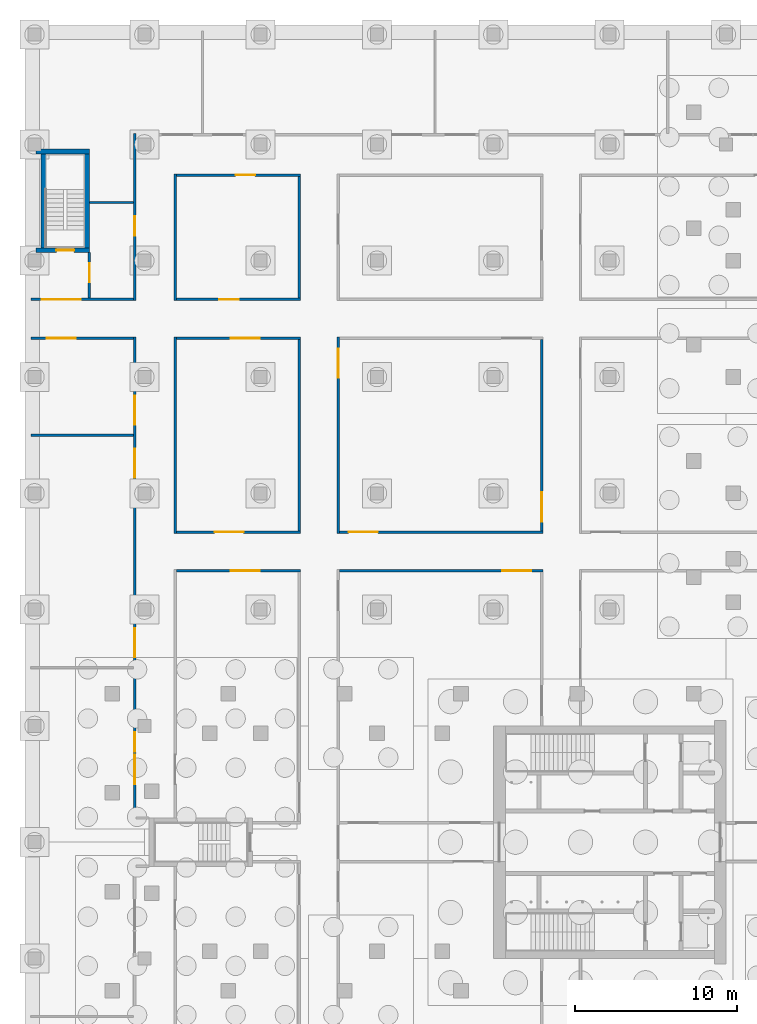
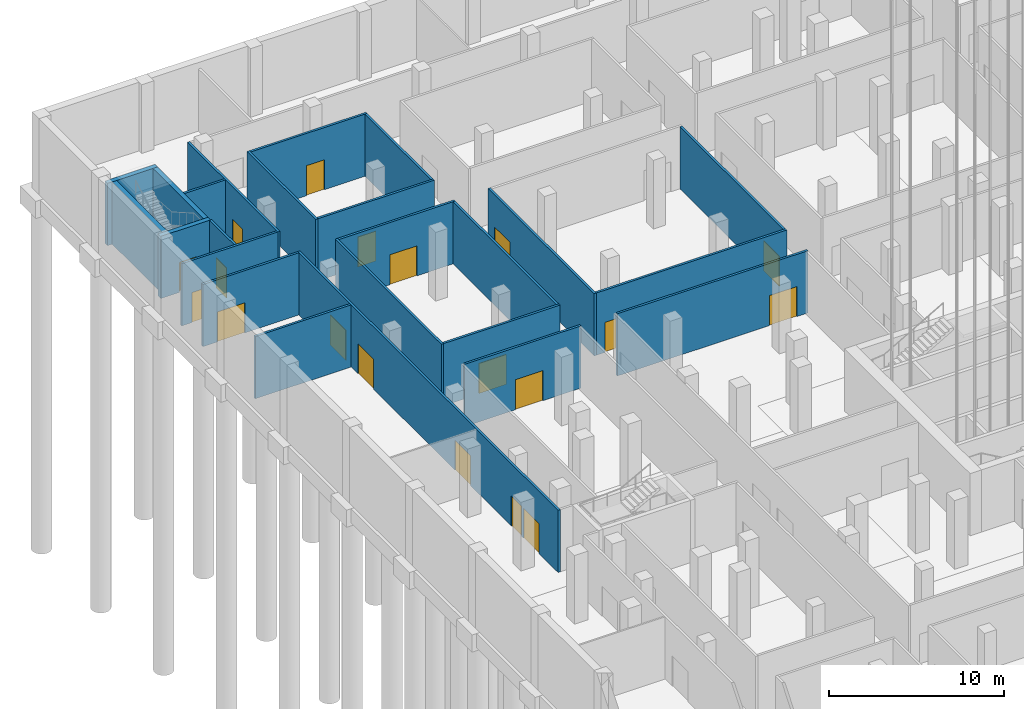
# One storey, part 16 of 54: 24 walls, 19 doors, 19 openings.
"""IFC4 building model written with IfcOpenShell, lengths in metres."""

from ifc_helpers import new_model, si_unit, direction, frame, frame_2d, origin, place, context, subcontext, project, spatial, rectangle, extrude, material, layer, layer_set, type_object, element, fill, save


model = new_model("IFC4")

# Units and contexts
model_context = context("Model", 3, precision=1e-05, world=origin(), true_north=direction((0.0, 1.0)))
body_context = subcontext(model_context, "Body", "Model", "MODEL_VIEW")
ifc_project = project(units=[si_unit("LENGTHUNIT", "METRE"), si_unit("AREAUNIT", "SQUARE_METRE"), si_unit("VOLUMEUNIT", "CUBIC_METRE"), si_unit("PLANEANGLEUNIT", "RADIAN"), si_unit("MASSUNIT", "GRAM", prefix="KILO")], contexts=[model_context])

# Site, building, storey
site_placement = place(None, origin())
site = spatial("IfcSite", under=ifc_project, at=site_placement, CompositionType="ELEMENT")
building_placement = place(site_placement, origin())
building = spatial("IfcBuilding", under=site, at=building_placement, Name="Fustian Cross Tower", CompositionType="ELEMENT")
storey_placement = place(building_placement, frame((0.0, 0.0, -4.800048828125)))
storey = spatial("IfcBuildingStorey", under=building, at=storey_placement, Name="B1", CompositionType="ELEMENT", Elevation=-4.800048828125)

# Wall
ifc_material_1 = material(Name="Plasterboard on steel stud", Category="steel")
ifc_layer_1 = layer(ifc_material_1, 0.14990234375)
ifc_layer_set_1 = layer_set([ifc_layer_1], Name="Plasterboard on steel stud")
wall_type_1 = type_object("IfcWallType", Name="COMPARTMENT WALL 150 EI 60", PredefinedType="PARTITIONING", material=ifc_layer_set_1)
wall_1_placement = place(storey_placement, frame((-50.219970703125, 25.199951171875, 0.0), z_axis=(0.0, 0.0, 1.0), x_axis=(1.0, 0.0, 0.0)))
element("IfcWall", 1, at=wall_1_placement, inside=storey, type_object=wall_type_1, Name="Partition 6", PredefinedType="PARTITIONING", context=body_context, shape_type="SweptSolid", body=[
    extrude(rectangle(XDim=6.344970703125, YDim=0.14990234375, at=frame_2d((3.17236328125, 0.0))), origin(), (0.0, 0.0, 1.0), 4.35009765625),
])

# Wall, opening, door
wall_2_placement = place(storey_placement, frame((-50.219970703125, 31.199951171875, 0.0), z_axis=(0.0, 0.0, 1.0), x_axis=(1.0, 0.0, 0.0)))
wall_2 = element("IfcWall", 2, at=wall_2_placement, inside=storey, type_object=wall_type_1, Name="Partition 7", PredefinedType="PARTITIONING", context=body_context, shape_type="SweptSolid", body=[
    extrude(rectangle(XDim=6.344970703125, YDim=0.14990234375, at=frame_2d((3.17236328125, 0.0))), origin(), (0.0, 0.0, 1.0), 4.35009765625),
])
opening_1_placement = place(wall_2_placement, frame((0.969970703125, 0.0, 0.0)))
opening_1 = element("IfcOpeningElement", 3, at=opening_1_placement, cuts=wall_2, Name="Opening D01143", PredefinedType="OPENING", context=body_context, shape_type="SweptSolid", body=[
    extrude(rectangle(XDim=1.800048828125, YDim=2.10009765625, at=frame_2d((0.89990234375, 1.050048828125))), frame((0.0, 0.0849609375, 0.0), z_axis=(0.0, -1.0, 0.0), x_axis=(1.0, 0.0, 0.0)), (0.0, 0.0, 1.0), 0.169921875),
])
ifc_material_2 = material(Name="Timber fire door set", Category="wood")
door_type_1 = type_object("IfcDoorType", Name="FIRE DOUBLE DOOR 1800 FD30S", OperationType="DOUBLE_DOOR_DOUBLE_SWING", PredefinedType="DOOR", material=ifc_material_2)
door_1_placement = place(opening_1_placement, origin())
door_1 = element("IfcDoor", 4, at=door_1_placement, inside=storey, type_object=door_type_1, Name="Door D01143", OperationType="DOUBLE_DOOR_DOUBLE_SWING", OverallHeight=2.10009765625, OverallWidth=1.800048828125, PredefinedType="DOOR", context=body_context, shape_type="SweptSolid", body=[
    extrude(rectangle(XDim=1.800048828125, YDim=2.10009765625, at=frame_2d((0.89990234375, 1.050048828125))), frame((0.0, 0.02490234375, 0.0), z_axis=(0.0, -1.0, 0.0), x_axis=(1.0, 0.0, 0.0)), (0.0, 0.0, 1.0), 0.050048828125),
])
fill(opening_1, door_1)

wall_3_placement = place(storey_placement, frame((-50.219970703125, 33.60009765625, 0.0), z_axis=(0.0, 0.0, 1.0), x_axis=(1.0, 0.0, 0.0)))
wall_3 = element("IfcWall", 5, at=wall_3_placement, inside=storey, type_object=wall_type_1, Name="Partition 8", PredefinedType="PARTITIONING", context=body_context, shape_type="SweptSolid", body=[
    extrude(rectangle(XDim=6.344970703125, YDim=0.14990234375, at=frame_2d((3.17236328125, 0.0))), origin(), (0.0, 0.0, 1.0), 4.35009765625),
])
opening_2_placement = place(wall_3_placement, frame((0.669921875, 0.0, 0.0)))
opening_2 = element("IfcOpeningElement", 6, at=opening_2_placement, cuts=wall_3, Name="Opening D01042", PredefinedType="OPENING", context=body_context, shape_type="SweptSolid", body=[
    extrude(rectangle(XDim=2.39990234375, YDim=2.10009765625, at=frame_2d((1.199951171875, 1.050048828125))), frame((0.0, 0.0849609375, 0.0), z_axis=(0.0, -1.0, 0.0), x_axis=(1.0, 0.0, 0.0)), (0.0, 0.0, 1.0), 0.169921875),
])
ifc_material_3 = material(Name="Timber fire door set", Category="wood")
door_type_2 = type_object("IfcDoorType", Name="FIRE DOUBLE DOOR 2400 FD30S", OperationType="DOUBLE_DOOR_DOUBLE_SWING", PredefinedType="DOOR", material=ifc_material_3)
door_2_placement = place(opening_2_placement, origin())
door_2 = element("IfcDoor", 7, at=door_2_placement, inside=storey, type_object=door_type_2, Name="Door D01042", OperationType="DOUBLE_DOOR_DOUBLE_SWING", OverallHeight=2.10009765625, OverallWidth=2.39990234375, PredefinedType="DOOR", context=body_context, shape_type="SweptSolid", body=[
    extrude(rectangle(XDim=2.39990234375, YDim=2.10009765625, at=frame_2d((1.199951171875, 1.050048828125))), frame((0.0, 0.02490234375, 0.0), z_axis=(0.0, -1.0, 0.0), x_axis=(1.0, 0.0, 0.0)), (0.0, 0.0, 1.0), 0.050048828125),
])
fill(opening_2, door_2)

wall_4_placement = place(storey_placement, frame((-46.60009765625, 33.675048828125, 0.0), z_axis=(0.0, 0.0, 1.0), x_axis=(0.0, 1.0, 0.0)))
wall_4 = element("IfcWall", 8, at=wall_4_placement, inside=storey, type_object=wall_type_1, Name="Partition 11", PredefinedType="PARTITIONING", context=body_context, shape_type="SweptSolid", body=[
    extrude(rectangle(XDim=2.824951171875, YDim=0.14990234375, at=frame_2d((1.41259765625, 0.0))), origin(), (0.0, 0.0, 1.0), 4.35009765625),
])
opening_3_placement = place(wall_4_placement, frame((0.97509765625, 0.0, 0.0)))
opening_3 = element("IfcOpeningElement", 9, at=opening_3_placement, cuts=wall_4, Name="Opening D01126", PredefinedType="OPENING", context=body_context, shape_type="SweptSolid", body=[
    extrude(rectangle(XDim=1.199951171875, YDim=2.10009765625, at=frame_2d((0.60009765625, 1.050048828125))), frame((0.0, 0.0849609375, 0.0), z_axis=(0.0, -1.0, 0.0), x_axis=(1.0, 0.0, 0.0)), (0.0, 0.0, 1.0), 0.169921875),
])
ifc_material_4 = material(Name="Timber fire door set", Category="wood")
door_type_3 = type_object("IfcDoorType", Name="FIRE SWING DOOR 1200 FD30S", OperationType="SINGLE_SWING_LEFT", PredefinedType="DOOR", material=ifc_material_4)
door_3_placement = place(opening_3_placement, frame((1.199951171875, 0.0, 0.0), z_axis=(0.0, 0.0, 1.0), x_axis=(-1.0, 0.0, 0.0)))
door_3 = element("IfcDoor", 10, at=door_3_placement, inside=storey, type_object=door_type_3, Name="Door D01126", OperationType="SINGLE_SWING_RIGHT", OverallHeight=2.10009765625, OverallWidth=1.199951171875, PredefinedType="DOOR", context=body_context, shape_type="SweptSolid", body=[
    extrude(rectangle(XDim=1.199951171875, YDim=2.10009765625, at=frame_2d((0.60009765625, 1.050048828125))), frame((0.0, 0.02490234375, 0.0), z_axis=(0.0, -1.0, 0.0), x_axis=(1.0, 0.0, 0.0)), (0.0, 0.0, 1.0), 0.050048828125),
])
fill(opening_3, door_3)

# Wall
wall_5_placement = place(storey_placement, frame((-46.60009765625, 39.60009765625, 0.0), z_axis=(0.0, 0.0, 1.0), x_axis=(1.0, 0.0, 0.0)))
element("IfcWall", 11, at=wall_5_placement, inside=storey, type_object=wall_type_1, Name="Partition 12", PredefinedType="PARTITIONING", context=body_context, shape_type="SweptSolid", body=[
    extrude(rectangle(XDim=2.72509765625, YDim=0.14990234375, at=frame_2d((1.362548828125, 0.0))), origin(), (0.0, 0.0, 1.0), 4.35009765625),
])

# Wall, openings, doors
wall_6_placement = place(storey_placement, frame((-43.800048828125, 1.425048828125, 0.0), z_axis=(0.0, 0.0, 1.0), x_axis=(0.0, 1.0, 0.0)))
wall_6 = element("IfcWall", 12, at=wall_6_placement, inside=storey, type_object=wall_type_1, Name="Partition 17", PredefinedType="PARTITIONING", context=body_context, shape_type="SweptSolid", body=[
    extrude(rectangle(XDim=29.849853515625, YDim=0.14990234375, at=frame_2d((14.9248046875, 0.0))), origin(), (0.0, 0.0, 1.0), 4.35009765625),
])
opening_4_placement = place(wall_6_placement, frame((24.425048828125, 0.0, 0.0)))
opening_4 = element("IfcOpeningElement", 13, at=opening_4_placement, cuts=wall_6, Name="Opening D01144", PredefinedType="OPENING", context=body_context, shape_type="SweptSolid", body=[
    extrude(rectangle(XDim=1.800048828125, YDim=2.10009765625, at=frame_2d((0.89990234375, 1.050048828125))), frame((0.0, 0.0849609375, 0.0), z_axis=(0.0, -1.0, 0.0), x_axis=(1.0, 0.0, 0.0)), (0.0, 0.0, 1.0), 0.169921875),
])
opening_5_placement = place(wall_6_placement, frame((10.02490234375, 0.0, 0.0)))
opening_5 = element("IfcOpeningElement", 14, at=opening_5_placement, cuts=wall_6, Name="Opening D01151", PredefinedType="OPENING", context=body_context, shape_type="SweptSolid", body=[
    extrude(rectangle(XDim=1.800048828125, YDim=2.10009765625, at=frame_2d((0.89990234375, 1.050048828125))), frame((0.0, 0.0849609375, 0.0), z_axis=(0.0, -1.0, 0.0), x_axis=(1.0, 0.0, 0.0)), (0.0, 0.0, 1.0), 0.169921875),
])
opening_6_placement = place(wall_6_placement, frame((21.125, 0.0, 0.0)))
opening_6 = element("IfcOpeningElement", 15, at=opening_6_placement, cuts=wall_6, Name="Opening D01152", PredefinedType="OPENING", context=body_context, shape_type="SweptSolid", body=[
    extrude(rectangle(XDim=1.800048828125, YDim=2.10009765625, at=frame_2d((0.89990234375, 1.050048828125))), frame((0.0, 0.0849609375, 0.0), z_axis=(0.0, -1.0, 0.0), x_axis=(1.0, 0.0, 0.0)), (0.0, 0.0, 1.0), 0.169921875),
])
opening_7_placement = place(wall_6_placement, frame((2.175048828125, 0.0, 0.0)))
opening_7 = element("IfcOpeningElement", 16, at=opening_7_placement, cuts=wall_6, Name="Opening D01163", PredefinedType="OPENING", context=body_context, shape_type="SweptSolid", body=[
    extrude(rectangle(XDim=1.800048828125, YDim=2.10009765625, at=frame_2d((0.89990234375, 1.050048828125))), frame((0.0, 0.0849609375, 0.0), z_axis=(0.0, -1.0, 0.0), x_axis=(1.0, 0.0, 0.0)), (0.0, 0.0, 1.0), 0.169921875),
])
opening_8_placement = place(wall_6_placement, frame((4.175048828125, 0.0, 0.0)))
opening_8 = element("IfcOpeningElement", 17, at=opening_8_placement, cuts=wall_6, Name="Opening D01164", PredefinedType="OPENING", context=body_context, shape_type="SweptSolid", body=[
    extrude(rectangle(XDim=1.199951171875, YDim=2.10009765625, at=frame_2d((0.60009765625, 1.050048828125))), frame((0.0, 0.0849609375, 0.0), z_axis=(0.0, -1.0, 0.0), x_axis=(1.0, 0.0, 0.0)), (0.0, 0.0, 1.0), 0.169921875),
])
door_4_placement = place(opening_4_placement, frame((1.800048828125, 0.0, 0.0), z_axis=(0.0, 0.0, 1.0), x_axis=(-1.0, 0.0, 0.0)))
door_4 = element("IfcDoor", 18, at=door_4_placement, inside=storey, type_object=door_type_1, Name="Door D01144", OperationType="DOUBLE_DOOR_DOUBLE_SWING", OverallHeight=2.10009765625, OverallWidth=1.800048828125, PredefinedType="DOOR", context=body_context, shape_type="SweptSolid", body=[
    extrude(rectangle(XDim=1.800048828125, YDim=2.10009765625, at=frame_2d((0.89990234375, 1.050048828125))), frame((0.0, 0.02490234375, 0.0), z_axis=(0.0, -1.0, 0.0), x_axis=(1.0, 0.0, 0.0)), (0.0, 0.0, 1.0), 0.050048828125),
])
fill(opening_4, door_4)
door_5_placement = place(opening_5_placement, frame((1.800048828125, 0.0, 0.0), z_axis=(0.0, 0.0, 1.0), x_axis=(-1.0, 0.0, 0.0)))
door_5 = element("IfcDoor", 19, at=door_5_placement, inside=storey, type_object=door_type_1, Name="Door D01151", OperationType="DOUBLE_DOOR_DOUBLE_SWING", OverallHeight=2.10009765625, OverallWidth=1.800048828125, PredefinedType="DOOR", context=body_context, shape_type="SweptSolid", body=[
    extrude(rectangle(XDim=1.800048828125, YDim=2.10009765625, at=frame_2d((0.89990234375, 1.050048828125))), frame((0.0, 0.02490234375, 0.0), z_axis=(0.0, -1.0, 0.0), x_axis=(1.0, 0.0, 0.0)), (0.0, 0.0, 1.0), 0.050048828125),
])
fill(opening_5, door_5)
door_6_placement = place(opening_6_placement, frame((1.800048828125, 0.0, 0.0), z_axis=(0.0, 0.0, 1.0), x_axis=(-1.0, 0.0, 0.0)))
door_6 = element("IfcDoor", 20, at=door_6_placement, inside=storey, type_object=door_type_1, Name="Door D01152", OperationType="DOUBLE_DOOR_DOUBLE_SWING", OverallHeight=2.10009765625, OverallWidth=1.800048828125, PredefinedType="DOOR", context=body_context, shape_type="SweptSolid", body=[
    extrude(rectangle(XDim=1.800048828125, YDim=2.10009765625, at=frame_2d((0.89990234375, 1.050048828125))), frame((0.0, 0.02490234375, 0.0), z_axis=(0.0, -1.0, 0.0), x_axis=(1.0, 0.0, 0.0)), (0.0, 0.0, 1.0), 0.050048828125),
])
fill(opening_6, door_6)
door_7_placement = place(opening_7_placement, frame((1.800048828125, 0.0, 0.0), z_axis=(0.0, 0.0, 1.0), x_axis=(-1.0, 0.0, 0.0)))
door_7 = element("IfcDoor", 21, at=door_7_placement, inside=storey, type_object=door_type_1, Name="Door D01163", OperationType="DOUBLE_DOOR_DOUBLE_SWING", OverallHeight=2.10009765625, OverallWidth=1.800048828125, PredefinedType="DOOR", context=body_context, shape_type="SweptSolid", body=[
    extrude(rectangle(XDim=1.800048828125, YDim=2.10009765625, at=frame_2d((0.89990234375, 1.050048828125))), frame((0.0, 0.02490234375, 0.0), z_axis=(0.0, -1.0, 0.0), x_axis=(1.0, 0.0, 0.0)), (0.0, 0.0, 1.0), 0.050048828125),
])
fill(opening_7, door_7)
door_8_placement = place(opening_8_placement, origin())
door_8 = element("IfcDoor", 22, at=door_8_placement, inside=storey, type_object=door_type_3, Name="Door D01164", OperationType="SINGLE_SWING_RIGHT", OverallHeight=2.10009765625, OverallWidth=1.199951171875, PredefinedType="DOOR", context=body_context, shape_type="SweptSolid", body=[
    extrude(rectangle(XDim=1.199951171875, YDim=2.10009765625, at=frame_2d((0.60009765625, 1.050048828125))), frame((0.0, 0.02490234375, 0.0), z_axis=(0.0, -1.0, 0.0), x_axis=(1.0, 0.0, 0.0)), (0.0, 0.0, 1.0), 0.050048828125),
])
fill(opening_8, door_8)

# Wall, opening, door
wall_7_placement = place(storey_placement, frame((-43.800048828125, 33.52490234375, 0.0), z_axis=(0.0, 0.0, 1.0), x_axis=(0.0, 1.0, 0.0)))
wall_7 = element("IfcWall", 23, at=wall_7_placement, inside=storey, type_object=wall_type_1, Name="Partition 19", PredefinedType="PARTITIONING", context=body_context, shape_type="SweptSolid", body=[
    extrude(rectangle(XDim=10.35009765625, YDim=0.14990234375, at=frame_2d((5.175048828125, 0.0))), origin(), (0.0, 0.0, 1.0), 4.35009765625),
])
opening_9_placement = place(wall_7_placement, frame((4.02490234375, 0.0, 0.0)))
opening_9 = element("IfcOpeningElement", 24, at=opening_9_placement, cuts=wall_7, Name="Opening D01127", PredefinedType="OPENING", context=body_context, shape_type="SweptSolid", body=[
    extrude(rectangle(XDim=1.199951171875, YDim=2.10009765625, at=frame_2d((0.60009765625, 1.050048828125))), frame((0.0, 0.0849609375, 0.0), z_axis=(0.0, -1.0, 0.0), x_axis=(1.0, 0.0, 0.0)), (0.0, 0.0, 1.0), 0.169921875),
])
door_9_placement = place(opening_9_placement, origin())
door_9 = element("IfcDoor", 25, at=door_9_placement, inside=storey, type_object=door_type_3, Name="Door D01127", OperationType="SINGLE_SWING_RIGHT", OverallHeight=2.10009765625, OverallWidth=1.199951171875, PredefinedType="DOOR", context=body_context, shape_type="SweptSolid", body=[
    extrude(rectangle(XDim=1.199951171875, YDim=2.10009765625, at=frame_2d((0.60009765625, 1.050048828125))), frame((0.0, 0.02490234375, 0.0), z_axis=(0.0, -1.0, 0.0), x_axis=(1.0, 0.0, 0.0)), (0.0, 0.0, 1.0), 0.050048828125),
])
fill(opening_9, door_9)

wall_8_placement = place(storey_placement, frame((-41.22509765625, 16.800048828125, 0.0), z_axis=(0.0, 0.0, 1.0), x_axis=(1.0, 0.0, 0.0)))
wall_8 = element("IfcWall", 26, at=wall_8_placement, inside=storey, type_object=wall_type_1, Name="Partition 30", PredefinedType="PARTITIONING", context=body_context, shape_type="SweptSolid", body=[
    extrude(rectangle(XDim=7.7001953125, YDim=0.14990234375, at=frame_2d((3.85009765625, 0.0))), origin(), (0.0, 0.0, 1.0), 4.35009765625),
])
opening_10_placement = place(wall_8_placement, frame((3.375, 0.0, 0.0)))
opening_10 = element("IfcOpeningElement", 27, at=opening_10_placement, cuts=wall_8, Name="Opening D01156", PredefinedType="OPENING", context=body_context, shape_type="SweptSolid", body=[
    extrude(rectangle(XDim=1.800048828125, YDim=2.10009765625, at=frame_2d((0.89990234375, 1.050048828125))), frame((0.0, 0.0849609375, 0.0), z_axis=(0.0, -1.0, 0.0), x_axis=(1.0, 0.0, 0.0)), (0.0, 0.0, 1.0), 0.169921875),
])
door_10_placement = place(opening_10_placement, origin())
door_10 = element("IfcDoor", 28, at=door_10_placement, inside=storey, type_object=door_type_1, Name="Door D01156", OperationType="DOUBLE_DOOR_DOUBLE_SWING", OverallHeight=2.10009765625, OverallWidth=1.800048828125, PredefinedType="DOOR", context=body_context, shape_type="SweptSolid", body=[
    extrude(rectangle(XDim=1.800048828125, YDim=2.10009765625, at=frame_2d((0.89990234375, 1.050048828125))), frame((0.0, 0.02490234375, 0.0), z_axis=(0.0, -1.0, 0.0), x_axis=(1.0, 0.0, 0.0)), (0.0, 0.0, 1.0), 0.050048828125),
])
fill(opening_10, door_10)

# Wall
wall_9_placement = place(storey_placement, frame((-41.300048828125, 19.125, 0.0), z_axis=(0.0, 0.0, 1.0), x_axis=(0.0, 1.0, 0.0)))
element("IfcWall", 29, at=wall_9_placement, inside=storey, type_object=wall_type_1, Name="Partition 31", PredefinedType="PARTITIONING", context=body_context, shape_type="SweptSolid", body=[
    extrude(rectangle(XDim=12.14990234375, YDim=0.14990234375, at=frame_2d((6.074951171875, 0.0))), origin(), (0.0, 0.0, 1.0), 4.35009765625),
])

# Wall, opening, door
wall_10_placement = place(storey_placement, frame((-41.22509765625, 19.199951171875, 0.0), z_axis=(0.0, 0.0, 1.0), x_axis=(1.0, 0.0, 0.0)))
wall_10 = element("IfcWall", 30, at=wall_10_placement, inside=storey, type_object=wall_type_1, Name="Partition 32", PredefinedType="PARTITIONING", context=body_context, shape_type="SweptSolid", body=[
    extrude(rectangle(XDim=7.7001953125, YDim=0.14990234375, at=frame_2d((3.85009765625, 0.0))), origin(), (0.0, 0.0, 1.0), 4.35009765625),
])
opening_11_placement = place(wall_10_placement, frame((2.375, 0.0, 0.0)))
opening_11 = element("IfcOpeningElement", 31, at=opening_11_placement, cuts=wall_10, Name="Opening D01147", PredefinedType="OPENING", context=body_context, shape_type="SweptSolid", body=[
    extrude(rectangle(XDim=1.800048828125, YDim=2.10009765625, at=frame_2d((0.89990234375, 1.050048828125))), frame((0.0, 0.0849609375, 0.0), z_axis=(0.0, -1.0, 0.0), x_axis=(1.0, 0.0, 0.0)), (0.0, 0.0, 1.0), 0.169921875),
])
door_11_placement = place(opening_11_placement, frame((1.800048828125, 0.0, 0.0), z_axis=(0.0, 0.0, 1.0), x_axis=(-1.0, 0.0, 0.0)))
door_11 = element("IfcDoor", 32, at=door_11_placement, inside=storey, type_object=door_type_1, Name="Door D01147", OperationType="DOUBLE_DOOR_DOUBLE_SWING", OverallHeight=2.10009765625, OverallWidth=1.800048828125, PredefinedType="DOOR", context=body_context, shape_type="SweptSolid", body=[
    extrude(rectangle(XDim=1.800048828125, YDim=2.10009765625, at=frame_2d((0.89990234375, 1.050048828125))), frame((0.0, 0.02490234375, 0.0), z_axis=(0.0, -1.0, 0.0), x_axis=(1.0, 0.0, 0.0)), (0.0, 0.0, 1.0), 0.050048828125),
])
fill(opening_11, door_11)

wall_11_placement = place(storey_placement, frame((-41.22509765625, 31.199951171875, 0.0), z_axis=(0.0, 0.0, 1.0), x_axis=(1.0, 0.0, 0.0)))
wall_11 = element("IfcWall", 33, at=wall_11_placement, inside=storey, type_object=wall_type_1, Name="Partition 33", PredefinedType="PARTITIONING", context=body_context, shape_type="SweptSolid", body=[
    extrude(rectangle(XDim=7.7001953125, YDim=0.14990234375, at=frame_2d((3.85009765625, 0.0))), origin(), (0.0, 0.0, 1.0), 4.35009765625),
])
opening_12_placement = place(wall_11_placement, frame((3.375, 0.0, 0.0)))
opening_12 = element("IfcOpeningElement", 34, at=opening_12_placement, cuts=wall_11, Name="Opening D01148", PredefinedType="OPENING", context=body_context, shape_type="SweptSolid", body=[
    extrude(rectangle(XDim=1.800048828125, YDim=2.10009765625, at=frame_2d((0.89990234375, 1.050048828125))), frame((0.0, 0.0849609375, 0.0), z_axis=(0.0, -1.0, 0.0), x_axis=(1.0, 0.0, 0.0)), (0.0, 0.0, 1.0), 0.169921875),
])
door_12_placement = place(opening_12_placement, origin())
door_12 = element("IfcDoor", 35, at=door_12_placement, inside=storey, type_object=door_type_1, Name="Door D01148", OperationType="DOUBLE_DOOR_DOUBLE_SWING", OverallHeight=2.10009765625, OverallWidth=1.800048828125, PredefinedType="DOOR", context=body_context, shape_type="SweptSolid", body=[
    extrude(rectangle(XDim=1.800048828125, YDim=2.10009765625, at=frame_2d((0.89990234375, 1.050048828125))), frame((0.0, 0.02490234375, 0.0), z_axis=(0.0, -1.0, 0.0), x_axis=(1.0, 0.0, 0.0)), (0.0, 0.0, 1.0), 0.050048828125),
])
fill(opening_12, door_12)

# Wall
wall_12_placement = place(storey_placement, frame((-41.300048828125, 33.52490234375, 0.0), z_axis=(0.0, 0.0, 1.0), x_axis=(0.0, 1.0, 0.0)))
element("IfcWall", 36, at=wall_12_placement, inside=storey, type_object=wall_type_1, Name="Partition 34", PredefinedType="PARTITIONING", context=body_context, shape_type="SweptSolid", body=[
    extrude(rectangle(XDim=7.85009765625, YDim=0.14990234375, at=frame_2d((3.925048828125, 0.0))), origin(), (0.0, 0.0, 1.0), 4.35009765625),
])

# Wall, opening, door
wall_13_placement = place(storey_placement, frame((-41.22509765625, 33.60009765625, 0.0), z_axis=(0.0, 0.0, 1.0), x_axis=(1.0, 0.0, 0.0)))
wall_13 = element("IfcWall", 37, at=wall_13_placement, inside=storey, type_object=wall_type_1, Name="Partition 35", PredefinedType="PARTITIONING", context=body_context, shape_type="SweptSolid", body=[
    extrude(rectangle(XDim=7.7001953125, YDim=0.14990234375, at=frame_2d((3.85009765625, 0.0))), origin(), (0.0, 0.0, 1.0), 4.35009765625),
])
opening_13_placement = place(wall_13_placement, frame((2.675048828125, 0.0, 0.0)))
opening_13 = element("IfcOpeningElement", 38, at=opening_13_placement, cuts=wall_13, Name="Opening D01128", PredefinedType="OPENING", context=body_context, shape_type="SweptSolid", body=[
    extrude(rectangle(XDim=1.199951171875, YDim=2.10009765625, at=frame_2d((0.60009765625, 1.050048828125))), frame((0.0, 0.0849609375, 0.0), z_axis=(0.0, -1.0, 0.0), x_axis=(1.0, 0.0, 0.0)), (0.0, 0.0, 1.0), 0.169921875),
])
door_13_placement = place(opening_13_placement, origin())
door_13 = element("IfcDoor", 39, at=door_13_placement, inside=storey, type_object=door_type_3, Name="Door D01128", OperationType="SINGLE_SWING_LEFT", OverallHeight=2.10009765625, OverallWidth=1.199951171875, PredefinedType="DOOR", context=body_context, shape_type="SweptSolid", body=[
    extrude(rectangle(XDim=1.199951171875, YDim=2.10009765625, at=frame_2d((0.60009765625, 1.050048828125))), frame((0.0, 0.02490234375, 0.0), z_axis=(0.0, -1.0, 0.0), x_axis=(1.0, 0.0, 0.0)), (0.0, 0.0, 1.0), 0.050048828125),
])
fill(opening_13, door_13)

wall_14_placement = place(storey_placement, frame((-41.22509765625, 41.300048828125, 0.0), z_axis=(0.0, 0.0, 1.0), x_axis=(1.0, 0.0, 0.0)))
wall_14 = element("IfcWall", 40, at=wall_14_placement, inside=storey, type_object=wall_type_1, Name="Partition 36", PredefinedType="PARTITIONING", context=body_context, shape_type="SweptSolid", body=[
    extrude(rectangle(XDim=7.7001953125, YDim=0.14990234375, at=frame_2d((3.85009765625, 0.0))), origin(), (0.0, 0.0, 1.0), 4.35009765625),
])
opening_14_placement = place(wall_14_placement, frame((3.675048828125, 0.0, 0.0)))
opening_14 = element("IfcOpeningElement", 41, at=opening_14_placement, cuts=wall_14, Name="Opening D01129", PredefinedType="OPENING", context=body_context, shape_type="SweptSolid", body=[
    extrude(rectangle(XDim=1.199951171875, YDim=2.10009765625, at=frame_2d((0.60009765625, 1.050048828125))), frame((0.0, 0.0849609375, 0.0), z_axis=(0.0, -1.0, 0.0), x_axis=(1.0, 0.0, 0.0)), (0.0, 0.0, 1.0), 0.169921875),
])
door_14_placement = place(opening_14_placement, frame((1.199951171875, 0.0, 0.0), z_axis=(0.0, 0.0, 1.0), x_axis=(-1.0, 0.0, 0.0)))
door_14 = element("IfcDoor", 42, at=door_14_placement, inside=storey, type_object=door_type_3, Name="Door D01129", OperationType="SINGLE_SWING_LEFT", OverallHeight=2.10009765625, OverallWidth=1.199951171875, PredefinedType="DOOR", context=body_context, shape_type="SweptSolid", body=[
    extrude(rectangle(XDim=1.199951171875, YDim=2.10009765625, at=frame_2d((0.60009765625, 1.050048828125))), frame((0.0, 0.02490234375, 0.0), z_axis=(0.0, -1.0, 0.0), x_axis=(1.0, 0.0, 0.0)), (0.0, 0.0, 1.0), 0.050048828125),
])
fill(opening_14, door_14)

# Walls
wall_15_placement = place(storey_placement, frame((-33.60009765625, 19.27490234375, 0.0), z_axis=(0.0, 0.0, 1.0), x_axis=(0.0, 1.0, 0.0)))
element("IfcWall", 43, at=wall_15_placement, inside=storey, type_object=wall_type_1, Name="Partition 45", PredefinedType="PARTITIONING", context=body_context, shape_type="SweptSolid", body=[
    extrude(rectangle(XDim=11.85009765625, YDim=0.14990234375, at=frame_2d((5.925048828125, 0.0))), origin(), (0.0, 0.0, 1.0), 4.35009765625),
])
wall_16_placement = place(storey_placement, frame((-33.60009765625, 33.675048828125, 0.0), z_axis=(0.0, 0.0, 1.0), x_axis=(0.0, 1.0, 0.0)))
element("IfcWall", 44, at=wall_16_placement, inside=storey, type_object=wall_type_1, Name="Partition 46", PredefinedType="PARTITIONING", context=body_context, shape_type="SweptSolid", body=[
    extrude(rectangle(XDim=7.550048828125, YDim=0.14990234375, at=frame_2d((3.77490234375, 0.0))), origin(), (0.0, 0.0, 1.0), 4.35009765625),
])

# Wall, opening, door
wall_17_placement = place(storey_placement, frame((-31.125, 16.800048828125, 0.0), z_axis=(0.0, 0.0, 1.0), x_axis=(1.0, 0.0, 0.0)))
wall_17 = element("IfcWall", 45, at=wall_17_placement, inside=storey, type_object=wall_type_1, Name="Partition 57", PredefinedType="PARTITIONING", context=body_context, shape_type="SweptSolid", body=[
    extrude(rectangle(XDim=12.60009765625, YDim=0.14990234375, at=frame_2d((6.300048828125, 0.0))), origin(), (0.0, 0.0, 1.0), 4.35009765625),
])
opening_15_placement = place(wall_17_placement, frame((10.074951171875, 0.0, 0.0)))
opening_15 = element("IfcOpeningElement", 46, at=opening_15_placement, cuts=wall_17, Name="Opening D01072", PredefinedType="OPENING", context=body_context, shape_type="SweptSolid", body=[
    extrude(rectangle(XDim=1.800048828125, YDim=2.10009765625, at=frame_2d((0.89990234375, 1.050048828125))), frame((0.0, 0.0849609375, 0.0), z_axis=(0.0, -1.0, 0.0), x_axis=(1.0, 0.0, 0.0)), (0.0, 0.0, 1.0), 0.169921875),
])
ifc_material_5 = material(Name="Timber fire door set", Category="wood")
door_type_4 = type_object("IfcDoorType", Name="FIRE DOUBLE DOOR 1800 FD60S", OperationType="DOUBLE_DOOR_DOUBLE_SWING", PredefinedType="DOOR", material=ifc_material_5)
door_15_placement = place(opening_15_placement, origin())
door_15 = element("IfcDoor", 47, at=door_15_placement, inside=storey, type_object=door_type_4, Name="Door D01072", OperationType="DOUBLE_DOOR_DOUBLE_SWING", OverallHeight=2.10009765625, OverallWidth=1.800048828125, PredefinedType="DOOR", context=body_context, shape_type="SweptSolid", body=[
    extrude(rectangle(XDim=1.800048828125, YDim=2.10009765625, at=frame_2d((0.89990234375, 1.050048828125))), frame((0.0, 0.02490234375, 0.0), z_axis=(0.0, -1.0, 0.0), x_axis=(1.0, 0.0, 0.0)), (0.0, 0.0, 1.0), 0.050048828125),
])
fill(opening_15, door_15)

wall_18_placement = place(storey_placement, frame((-31.199951171875, 19.125, 0.0), z_axis=(0.0, 0.0, 1.0), x_axis=(0.0, 1.0, 0.0)))
wall_18 = element("IfcWall", 48, at=wall_18_placement, inside=storey, type_object=wall_type_1, Name="Partition 58", PredefinedType="PARTITIONING", context=body_context, shape_type="SweptSolid", body=[
    extrude(rectangle(XDim=12.14990234375, YDim=0.14990234375, at=frame_2d((6.074951171875, 0.0))), origin(), (0.0, 0.0, 1.0), 4.35009765625),
])
opening_16_placement = place(wall_18_placement, frame((9.625, 0.0, 0.0)))
opening_16 = element("IfcOpeningElement", 49, at=opening_16_placement, cuts=wall_18, Name="Opening D01078", PredefinedType="OPENING", context=body_context, shape_type="SweptSolid", body=[
    extrude(rectangle(XDim=1.800048828125, YDim=2.10009765625, at=frame_2d((0.89990234375, 1.050048828125))), frame((0.0, 0.0849609375, 0.0), z_axis=(0.0, -1.0, 0.0), x_axis=(1.0, 0.0, 0.0)), (0.0, 0.0, 1.0), 0.169921875),
])
door_16_placement = place(opening_16_placement, origin())
door_16 = element("IfcDoor", 50, at=door_16_placement, inside=storey, type_object=door_type_4, Name="Door D01078", OperationType="DOUBLE_DOOR_DOUBLE_SWING", OverallHeight=2.10009765625, OverallWidth=1.800048828125, PredefinedType="DOOR", context=body_context, shape_type="SweptSolid", body=[
    extrude(rectangle(XDim=1.800048828125, YDim=2.10009765625, at=frame_2d((0.89990234375, 1.050048828125))), frame((0.0, 0.02490234375, 0.0), z_axis=(0.0, -1.0, 0.0), x_axis=(1.0, 0.0, 0.0)), (0.0, 0.0, 1.0), 0.050048828125),
])
fill(opening_16, door_16)

wall_19_placement = place(storey_placement, frame((-31.125, 19.199951171875, 0.0), z_axis=(0.0, 0.0, 1.0), x_axis=(1.0, 0.0, 0.0)))
wall_19 = element("IfcWall", 51, at=wall_19_placement, inside=storey, type_object=wall_type_1, Name="Partition 59", PredefinedType="PARTITIONING", context=body_context, shape_type="SweptSolid", body=[
    extrude(rectangle(XDim=12.60009765625, YDim=0.14990234375, at=frame_2d((6.300048828125, 0.0))), origin(), (0.0, 0.0, 1.0), 4.35009765625),
])
opening_17_placement = place(wall_19_placement, frame((0.574951171875, 0.0, 0.0)))
opening_17 = element("IfcOpeningElement", 52, at=opening_17_placement, cuts=wall_19, Name="Opening D01079", PredefinedType="OPENING", context=body_context, shape_type="SweptSolid", body=[
    extrude(rectangle(XDim=1.800048828125, YDim=2.10009765625, at=frame_2d((0.89990234375, 1.050048828125))), frame((0.0, 0.0849609375, 0.0), z_axis=(0.0, -1.0, 0.0), x_axis=(1.0, 0.0, 0.0)), (0.0, 0.0, 1.0), 0.169921875),
])
door_17_placement = place(opening_17_placement, frame((1.800048828125, 0.0, 0.0), z_axis=(0.0, 0.0, 1.0), x_axis=(-1.0, 0.0, 0.0)))
door_17 = element("IfcDoor", 53, at=door_17_placement, inside=storey, type_object=door_type_4, Name="Door D01079", OperationType="DOUBLE_DOOR_DOUBLE_SWING", OverallHeight=2.10009765625, OverallWidth=1.800048828125, PredefinedType="DOOR", context=body_context, shape_type="SweptSolid", body=[
    extrude(rectangle(XDim=1.800048828125, YDim=2.10009765625, at=frame_2d((0.89990234375, 1.050048828125))), frame((0.0, 0.02490234375, 0.0), z_axis=(0.0, -1.0, 0.0), x_axis=(1.0, 0.0, 0.0)), (0.0, 0.0, 1.0), 0.050048828125),
])
fill(opening_17, door_17)

wall_20_placement = place(storey_placement, frame((-18.60009765625, 19.27490234375, 0.0), z_axis=(0.0, 0.0, 1.0), x_axis=(0.0, 1.0, 0.0)))
wall_20 = element("IfcWall", 54, at=wall_20_placement, inside=storey, type_object=wall_type_1, Name="Partition 70", PredefinedType="PARTITIONING", context=body_context, shape_type="SweptSolid", body=[
    extrude(rectangle(XDim=11.85009765625, YDim=0.14990234375, at=frame_2d((5.925048828125, 0.0))), origin(), (0.0, 0.0, 1.0), 4.35009765625),
])
opening_18_placement = place(wall_20_placement, frame((0.574951171875, 0.0, 0.0)))
opening_18 = element("IfcOpeningElement", 55, at=opening_18_placement, cuts=wall_20, Name="Opening D01081", PredefinedType="OPENING", context=body_context, shape_type="SweptSolid", body=[
    extrude(rectangle(XDim=1.800048828125, YDim=2.10009765625, at=frame_2d((0.89990234375, 1.050048828125))), frame((0.0, 0.0849609375, 0.0), z_axis=(0.0, -1.0, 0.0), x_axis=(1.0, 0.0, 0.0)), (0.0, 0.0, 1.0), 0.169921875),
])
door_18_placement = place(opening_18_placement, frame((1.800048828125, 0.0, 0.0), z_axis=(0.0, 0.0, 1.0), x_axis=(-1.0, 0.0, 0.0)))
door_18 = element("IfcDoor", 56, at=door_18_placement, inside=storey, type_object=door_type_4, Name="Door D01081", OperationType="DOUBLE_DOOR_DOUBLE_SWING", OverallHeight=2.10009765625, OverallWidth=1.800048828125, PredefinedType="DOOR", context=body_context, shape_type="SweptSolid", body=[
    extrude(rectangle(XDim=1.800048828125, YDim=2.10009765625, at=frame_2d((0.89990234375, 1.050048828125))), frame((0.0, 0.02490234375, 0.0), z_axis=(0.0, -1.0, 0.0), x_axis=(1.0, 0.0, 0.0)), (0.0, 0.0, 1.0), 0.050048828125),
])
fill(opening_18, door_18)

ifc_material_6 = material(Name="Concrete C50/60", Category="concrete")
ifc_layer_2 = layer(ifc_material_6, 0.300048828125)
ifc_layer_set_2 = layer_set([ifc_layer_2], Name="Concrete C50/60")
wall_type_2 = type_object("IfcWallType", Name="STAIR ENCLOSURE WALL 300 C50/60", PredefinedType="SHEAR", material=ifc_layer_set_2)
wall_21_placement = place(storey_placement, frame((-49.89990234375, 36.64990234375, 0.0), z_axis=(0.0, 0.0, 1.0), x_axis=(1.0, 0.0, 0.0)))
wall_21 = element("IfcWall", 57, at=wall_21_placement, inside=storey, type_object=wall_type_2, Name="Stair enclosure wall", PredefinedType="SHEAR", context=body_context, shape_type="SweptSolid", body=[
    extrude(rectangle(XDim=3.2998046875, YDim=0.300048828125, at=frame_2d((1.64990234375, 0.0))), origin(), (0.0, 0.0, 1.0), 4.35009765625),
])
opening_19_placement = place(wall_21_placement, frame((1.25, 0.0, 0.0)))
opening_19 = element("IfcOpeningElement", 58, at=opening_19_placement, cuts=wall_21, Name="Opening CD-01-28", PredefinedType="OPENING", context=body_context, shape_type="SweptSolid", body=[
    extrude(rectangle(XDim=1.10009765625, YDim=2.10009765625, at=frame_2d((0.550048828125, 1.050048828125))), frame((0.0, 0.159912109375, 0.0), z_axis=(0.0, -1.0, 0.0), x_axis=(1.0, 0.0, 0.0)), (0.0, 0.0, 1.0), 0.320068359375),
])
ifc_material_7 = material(Name="Steel", Category="steel")
door_type_5 = type_object("IfcDoorType", Name="FIRE DOOR FD60S 1100X2100", OperationType="SINGLE_SWING_LEFT", PredefinedType="DOOR", material=ifc_material_7)
door_19_placement = place(opening_19_placement, origin())
door_19 = element("IfcDoor", 59, at=door_19_placement, inside=storey, type_object=door_type_5, Name="Core door CD-01-28", OperationType="SINGLE_SWING_RIGHT", OverallHeight=2.10009765625, OverallWidth=1.10009765625, PredefinedType="DOOR", context=body_context, shape_type="SweptSolid", body=[
    extrude(rectangle(XDim=1.10009765625, YDim=2.10009765625, at=frame_2d((0.550048828125, 1.050048828125))), frame((0.0, 0.02490234375, 0.0), z_axis=(0.0, -1.0, 0.0), x_axis=(1.0, 0.0, 0.0)), (0.0, 0.0, 1.0), 0.050048828125),
])
fill(opening_19, door_19)

# Walls
wall_22_placement = place(storey_placement, frame((-49.89990234375, 42.75, 0.0), z_axis=(0.0, 0.0, 1.0), x_axis=(1.0, 0.0, 0.0)))
element("IfcWall", 60, at=wall_22_placement, inside=storey, type_object=wall_type_2, Name="Stair enclosure wall", PredefinedType="SHEAR", context=body_context, shape_type="SweptSolid", body=[
    extrude(rectangle(XDim=3.2998046875, YDim=0.300048828125, at=frame_2d((1.64990234375, 0.0))), origin(), (0.0, 0.0, 1.0), 4.35009765625),
])
for number, where, z_axis, x_axis, name in (
    (61, (-49.449951171875, 36.800048828125, 0.0), (0.0, 0.0, 1.0), (0.0, 1.0, 0.0), "Stair enclosure wall"),
    (62, (-46.75, 36.800048828125, 0.0), (0.0, 0.0, 1.0), (0.0, 1.0, 0.0), "Stair enclosure wall"),
):
    element("IfcWall", number, at=place(storey_placement, frame(where, z_axis=z_axis, x_axis=x_axis)), inside=storey, type_object=wall_type_2, Name=name, PredefinedType="SHEAR", context=body_context, shape_type="SweptSolid", body=[
        extrude(rectangle(XDim=5.800048828125, YDim=0.300048828125, at=frame_2d((2.89990234375, 0.0))), origin(), (0.0, 0.0, 1.0), 4.35009765625),
    ])

save(model, "model.ifc")
